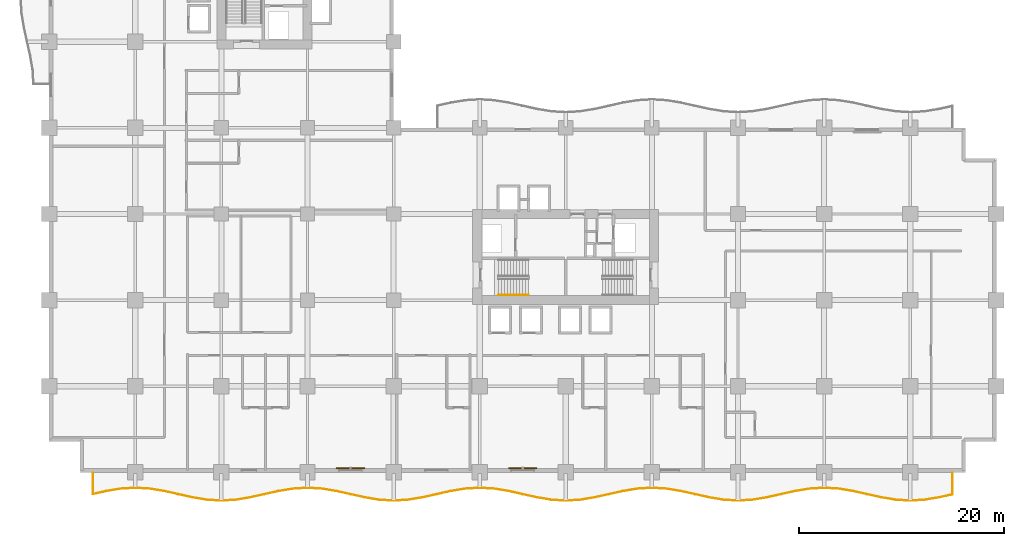
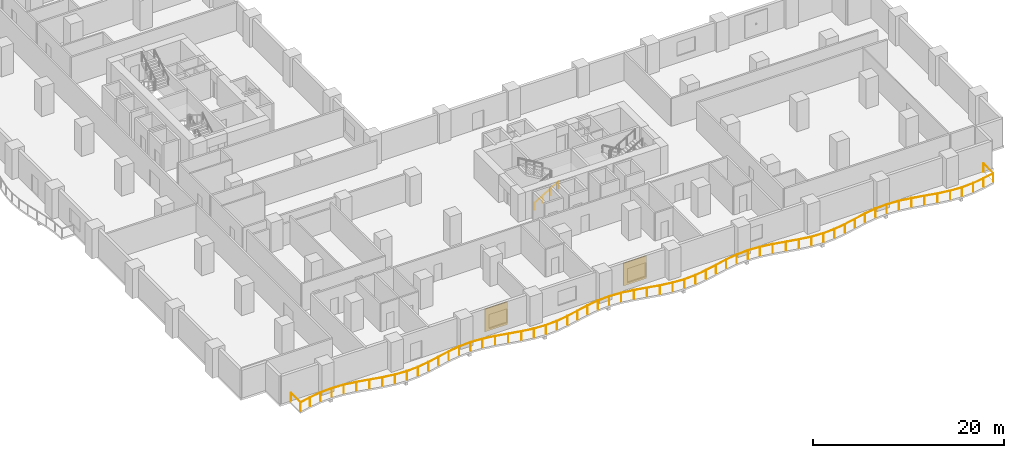
# One storey, part 19 of 22: 2 railings, 2 shading devices.
"""IFC4 building model written with IfcOpenShell, lengths in metres."""

from ifc_helpers import new_model, si_unit, direction, frame, origin, origin_2d, place, context, subcontext, project, spatial, rectangle, circle, extrude, material, layer, layer_set, type_object, element, save


model = new_model("IFC4")

# Units and contexts
model_context = context("Model", 3, precision=1e-05, world=origin(), true_north=direction((0.0, 1.0)))
body_context = subcontext(model_context, "Body", "Model", "MODEL_VIEW")
ifc_project = project(units=[si_unit("LENGTHUNIT", "METRE"), si_unit("AREAUNIT", "SQUARE_METRE"), si_unit("VOLUMEUNIT", "CUBIC_METRE"), si_unit("PLANEANGLEUNIT", "RADIAN"), si_unit("MASSUNIT", "GRAM", prefix="KILO")], contexts=[model_context])

# Site, building, storey
site_placement = place(None, origin())
site = spatial("IfcSite", under=ifc_project, at=site_placement, CompositionType="ELEMENT")
building_placement = place(site_placement, origin())
building = spatial("IfcBuilding", under=site, at=building_placement, Name="Koriwani Terraces Tower", CompositionType="ELEMENT")
storey_placement = place(building_placement, frame((0.0, 0.0, 62.39990234375)))
storey = spatial("IfcBuildingStorey", under=building, at=storey_placement, Name="L14", CompositionType="ELEMENT", Elevation=62.39990234375)

# Railings
ifc_material_1 = material(Name="Steel ASTM A572 Grade 50", Category="steel")
railing_type_1 = type_object("IfcRailingType", Name="GUARD_BALUSTRADE_1150", PredefinedType="BALUSTRADE", material=ifc_material_1)
railing_1_placement = place(storey_placement, frame((4.280029296875, -0.080078125, 0.0)))
element("IfcRailing", 1, at=railing_1_placement, inside=storey, type_object=railing_type_1, Name="L14 Balcony Perimeter Safety Balustrade (S)", PredefinedType="BALUSTRADE", context=body_context, shape_type="SweptSolid", body=[
    extrude(circle(Radius=0.02392578125, at=origin_2d()), frame((0.0, 0.0, 1.1259765625), z_axis=(0.0, -1.0, 0.0), x_axis=(1.0, 0.0, 0.0)), (0.0, 0.0, 1.0), 2.045166015625),
    extrude(circle(Radius=0.02392578125, at=origin_2d()), frame((0.0, -2.045166015625, 1.1259765625), z_axis=(0.975976038397, 0.21787788432, 0.0), x_axis=(-0.21787788432, 0.975976038397, 0.0)), (0.0, 0.0, 1.0), 1.3369140625),
    extrude(circle(Radius=0.02392578125, at=origin_2d()), frame((1.3046875, -1.75390625, 1.1259765625), z_axis=(0.986921202645, 0.161203411159, 0.0), x_axis=(-0.161203411159, 0.986921202645, 0.0)), (0.0, 0.0, 1.0), 1.425048828125),
    extrude(circle(Radius=0.02392578125, at=origin_2d()), frame((2.711181640625, -1.524169921875, 1.1259765625), z_axis=(0.998217235442, 0.059685432622, 0.0), x_axis=(-0.059685432622, 0.998217235442, 0.0)), (0.0, 0.0, 1.0), 1.4111328125),
    extrude(circle(Radius=0.02392578125, at=origin_2d()), frame((4.119873046875, -1.43994140625, 1.1259765625), z_axis=(0.998217851573, -0.059675127152, 0.0), x_axis=(0.059675127152, 0.998217851573, 0.0)), (0.0, 0.0, 1.0), 1.411376953125),
    extrude(circle(Radius=0.02392578125, at=origin_2d()), frame((5.52880859375, -1.524169921875, 1.1259765625), z_axis=(0.986916749742, -0.161230670401, 0.0), x_axis=(0.161230670401, 0.986916749742, 0.0)), (0.0, 0.0, 1.0), 1.4248046875),
    extrude(circle(Radius=0.02392578125, at=origin_2d()), frame((6.93505859375, -1.75390625, 1.1259765625), z_axis=(0.975982393728, -0.217849413893, 0.0), x_axis=(0.217849413893, 0.975982393728, 0.0)), (0.0, 0.0, 1.0), 2.868896484375),
    extrude(circle(Radius=0.02392578125, at=origin_2d()), frame((9.735107421875, -2.37890625, 1.1259765625), z_axis=(0.986907622111, -0.161286532042, 0.0), x_axis=(0.161286532042, 0.986907622111, 0.0)), (0.0, 0.0, 1.0), 1.412353515625),
    extrude(circle(Radius=0.02392578125, at=origin_2d()), frame((11.12890625, -2.606689453125, 1.1259765625), z_axis=(0.998214050326, -0.059738678687, 0.0), x_axis=(0.059738678687, 0.998214050326, 0.0)), (0.0, 0.0, 1.0), 1.3935546875),
    extrude(circle(Radius=0.02392578125, at=origin_2d()), frame((12.52001953125, -2.68994140625, 1.1259765625), z_axis=(0.998214050326, 0.059738678687, 0.0), x_axis=(-0.059738678687, 0.998214050326, 0.0)), (0.0, 0.0, 1.0), 1.3935546875),
    extrude(circle(Radius=0.02392578125, at=origin_2d()), frame((13.9111328125, -2.606689453125, 1.1259765625), z_axis=(0.986903124066, 0.16131405304, 0.0), x_axis=(-0.16131405304, 0.986903124066, 0.0)), (0.0, 0.0, 1.0), 1.412109375),
    extrude(circle(Radius=0.02392578125, at=origin_2d()), frame((15.3046875, -2.37890625, 1.1259765625), z_axis=(0.975982393728, 0.217849413893, 0.0), x_axis=(-0.217849413893, 0.975982393728, 0.0)), (0.0, 0.0, 1.0), 2.868896484375),
    extrude(circle(Radius=0.02392578125, at=origin_2d()), frame((18.104736328125, -1.75390625, 1.1259765625), z_axis=(0.986921202645, 0.161203411159, 0.0), x_axis=(-0.161203411159, 0.986921202645, 0.0)), (0.0, 0.0, 1.0), 1.425048828125),
    extrude(circle(Radius=0.02392578125, at=origin_2d()), frame((19.51123046875, -1.524169921875, 1.1259765625), z_axis=(0.998217235442, 0.059685432622, 0.0), x_axis=(-0.059685432622, 0.998217235442, 0.0)), (0.0, 0.0, 1.0), 1.4111328125),
    extrude(circle(Radius=0.02392578125, at=origin_2d()), frame((20.919921875, -1.43994140625, 1.1259765625), z_axis=(0.998217851573, -0.059675127152, 0.0), x_axis=(0.059675127152, 0.998217851573, 0.0)), (0.0, 0.0, 1.0), 1.411376953125),
    extrude(circle(Radius=0.02392578125, at=origin_2d()), frame((22.328857421875, -1.524169921875, 1.1259765625), z_axis=(0.986916749742, -0.161230670401, 0.0), x_axis=(0.161230670401, 0.986916749742, 0.0)), (0.0, 0.0, 1.0), 1.4248046875),
    extrude(circle(Radius=0.02392578125, at=origin_2d()), frame((23.735107421875, -1.75390625, 1.1259765625), z_axis=(0.975982393728, -0.217849413893, 0.0), x_axis=(0.217849413893, 0.975982393728, 0.0)), (0.0, 0.0, 1.0), 2.868896484375),
    extrude(circle(Radius=0.02392578125, at=origin_2d()), frame((26.53515625, -2.37890625, 1.1259765625), z_axis=(0.986907622111, -0.161286532042, 0.0), x_axis=(0.161286532042, 0.986907622111, 0.0)), (0.0, 0.0, 1.0), 1.412353515625),
    extrude(circle(Radius=0.02392578125, at=origin_2d()), frame((27.928955078125, -2.606689453125, 1.1259765625), z_axis=(0.998214050326, -0.059738678687, 0.0), x_axis=(0.059738678687, 0.998214050326, 0.0)), (0.0, 0.0, 1.0), 1.3935546875),
    extrude(circle(Radius=0.02392578125, at=origin_2d()), frame((29.320068359375, -2.68994140625, 1.1259765625), z_axis=(0.998214050326, 0.059738678687, 0.0), x_axis=(-0.059738678687, 0.998214050326, 0.0)), (0.0, 0.0, 1.0), 1.3935546875),
    extrude(circle(Radius=0.02392578125, at=origin_2d()), frame((30.711181640625, -2.606689453125, 1.1259765625), z_axis=(0.986903124066, 0.16131405304, 0.0), x_axis=(-0.16131405304, 0.986903124066, 0.0)), (0.0, 0.0, 1.0), 1.412109375),
    extrude(circle(Radius=0.02392578125, at=origin_2d()), frame((32.104736328125, -2.37890625, 1.1259765625), z_axis=(0.975982393728, 0.217849413893, 0.0), x_axis=(-0.217849413893, 0.975982393728, 0.0)), (0.0, 0.0, 1.0), 2.868896484375),
    extrude(circle(Radius=0.02392578125, at=origin_2d()), frame((34.90478515625, -1.75390625, 1.1259765625), z_axis=(0.986921202645, 0.161203411159, 0.0), x_axis=(-0.161203411159, 0.986921202645, 0.0)), (0.0, 0.0, 1.0), 1.425048828125),
    extrude(circle(Radius=0.02392578125, at=origin_2d()), frame((36.311279296875, -1.524169921875, 1.1259765625), z_axis=(0.998217235442, 0.059685432622, 0.0), x_axis=(-0.059685432622, 0.998217235442, 0.0)), (0.0, 0.0, 1.0), 1.4111328125),
    extrude(circle(Radius=0.02392578125, at=origin_2d()), frame((37.719970703125, -1.43994140625, 1.1259765625), z_axis=(0.998217235442, -0.059685432622, 0.0), x_axis=(0.059685432622, 0.998217235442, 0.0)), (0.0, 0.0, 1.0), 1.4111328125),
    extrude(circle(Radius=0.02392578125, at=origin_2d()), frame((39.128662109375, -1.524169921875, 1.1259765625), z_axis=(0.986921202645, -0.161203411159, 0.0), x_axis=(0.161203411159, 0.986921202645, 0.0)), (0.0, 0.0, 1.0), 1.425048828125),
    extrude(circle(Radius=0.02392578125, at=origin_2d()), frame((40.53515625, -1.75390625, 1.1259765625), z_axis=(0.975982393728, -0.217849413893, 0.0), x_axis=(0.217849413893, 0.975982393728, 0.0)), (0.0, 0.0, 1.0), 2.868896484375),
    extrude(circle(Radius=0.02392578125, at=origin_2d()), frame((43.335205078125, -2.37890625, 1.1259765625), z_axis=(0.986903124066, -0.16131405304, 0.0), x_axis=(0.16131405304, 0.986903124066, 0.0)), (0.0, 0.0, 1.0), 1.412109375),
    extrude(circle(Radius=0.02392578125, at=origin_2d()), frame((44.728759765625, -2.606689453125, 1.1259765625), z_axis=(0.998214050326, -0.059738678687, 0.0), x_axis=(0.059738678687, 0.998214050326, 0.0)), (0.0, 0.0, 1.0), 1.3935546875),
    extrude(circle(Radius=0.02392578125, at=origin_2d()), frame((46.119873046875, -2.68994140625, 1.1259765625), z_axis=(0.998214050326, 0.059738678687, 0.0), x_axis=(-0.059738678687, 0.998214050326, 0.0)), (0.0, 0.0, 1.0), 1.3935546875),
    extrude(circle(Radius=0.02392578125, at=origin_2d()), frame((47.510986328125, -2.606689453125, 1.1259765625), z_axis=(0.986907622111, 0.161286532042, 0.0), x_axis=(-0.161286532042, 0.986907622111, 0.0)), (0.0, 0.0, 1.0), 1.412353515625),
    extrude(circle(Radius=0.02392578125, at=origin_2d()), frame((48.90478515625, -2.37890625, 1.1259765625), z_axis=(0.975982393728, 0.217849413893, 0.0), x_axis=(-0.217849413893, 0.975982393728, 0.0)), (0.0, 0.0, 1.0), 2.868896484375),
    extrude(circle(Radius=0.02392578125, at=origin_2d()), frame((51.704833984375, -1.75390625, 1.1259765625), z_axis=(0.986916749742, 0.161230670401, 0.0), x_axis=(-0.161230670401, 0.986916749742, 0.0)), (0.0, 0.0, 1.0), 1.4248046875),
    extrude(circle(Radius=0.02392578125, at=origin_2d()), frame((53.111083984375, -1.524169921875, 1.1259765625), z_axis=(0.998217851573, 0.059675127152, 0.0), x_axis=(-0.059675127152, 0.998217851573, 0.0)), (0.0, 0.0, 1.0), 1.411376953125),
    extrude(circle(Radius=0.02392578125, at=origin_2d()), frame((54.52001953125, -1.43994140625, 1.1259765625), z_axis=(0.998217235442, -0.059685432622, 0.0), x_axis=(0.059685432622, 0.998217235442, 0.0)), (0.0, 0.0, 1.0), 1.4111328125),
    extrude(circle(Radius=0.02392578125, at=origin_2d()), frame((55.9287109375, -1.524169921875, 1.1259765625), z_axis=(0.986921202645, -0.161203411159, 0.0), x_axis=(0.161203411159, 0.986921202645, 0.0)), (0.0, 0.0, 1.0), 1.425048828125),
    extrude(circle(Radius=0.02392578125, at=origin_2d()), frame((57.335205078125, -1.75390625, 1.1259765625), z_axis=(0.975982393728, -0.217849413893, 0.0), x_axis=(0.217849413893, 0.975982393728, 0.0)), (0.0, 0.0, 1.0), 2.868896484375),
    extrude(circle(Radius=0.02392578125, at=origin_2d()), frame((60.13525390625, -2.37890625, 1.1259765625), z_axis=(0.986903124066, -0.16131405304, 0.0), x_axis=(0.16131405304, 0.986903124066, 0.0)), (0.0, 0.0, 1.0), 1.412109375),
    extrude(circle(Radius=0.02392578125, at=origin_2d()), frame((61.52880859375, -2.606689453125, 1.1259765625), z_axis=(0.998214050326, -0.059738678687, 0.0), x_axis=(0.059738678687, 0.998214050326, 0.0)), (0.0, 0.0, 1.0), 1.3935546875),
    extrude(circle(Radius=0.02392578125, at=origin_2d()), frame((62.919921875, -2.68994140625, 1.1259765625), z_axis=(0.998214050326, 0.059738678687, 0.0), x_axis=(-0.059738678687, 0.998214050326, 0.0)), (0.0, 0.0, 1.0), 1.3935546875),
    extrude(circle(Radius=0.02392578125, at=origin_2d()), frame((64.31103515625, -2.606689453125, 1.1259765625), z_axis=(0.986907622111, 0.161286532042, 0.0), x_axis=(-0.161286532042, 0.986907622111, 0.0)), (0.0, 0.0, 1.0), 1.412353515625),
    extrude(circle(Radius=0.02392578125, at=origin_2d()), frame((65.704833984375, -2.37890625, 1.1259765625), z_axis=(0.975982393728, 0.217849413893, 0.0), x_axis=(-0.217849413893, 0.975982393728, 0.0)), (0.0, 0.0, 1.0), 2.868896484375),
    extrude(circle(Radius=0.02392578125, at=origin_2d()), frame((68.5048828125, -1.75390625, 1.1259765625), z_axis=(0.986916749742, 0.161230670401, 0.0), x_axis=(-0.161230670401, 0.986916749742, 0.0)), (0.0, 0.0, 1.0), 1.4248046875),
    extrude(circle(Radius=0.02392578125, at=origin_2d()), frame((69.9111328125, -1.524169921875, 1.1259765625), z_axis=(0.998217851573, 0.059675127152, 0.0), x_axis=(-0.059675127152, 0.998217851573, 0.0)), (0.0, 0.0, 1.0), 1.411376953125),
    extrude(circle(Radius=0.02392578125, at=origin_2d()), frame((71.320068359375, -1.43994140625, 1.1259765625), z_axis=(0.998217235442, -0.059685432622, 0.0), x_axis=(0.059685432622, 0.998217235442, 0.0)), (0.0, 0.0, 1.0), 1.4111328125),
    extrude(circle(Radius=0.02392578125, at=origin_2d()), frame((72.728759765625, -1.524169921875, 1.1259765625), z_axis=(0.986921202645, -0.161203411159, 0.0), x_axis=(0.161203411159, 0.986921202645, 0.0)), (0.0, 0.0, 1.0), 1.425048828125),
    extrude(circle(Radius=0.02392578125, at=origin_2d()), frame((74.13525390625, -1.75390625, 1.1259765625), z_axis=(0.97597835464, -0.217867508535, 0.0), x_axis=(0.217867508535, 0.97597835464, 0.0)), (0.0, 0.0, 1.0), 2.86865234375),
    extrude(circle(Radius=0.02392578125, at=origin_2d()), frame((76.93505859375, -2.37890625, 1.1259765625), z_axis=(0.986907622111, -0.161286532042, 0.0), x_axis=(0.161286532042, 0.986907622111, 0.0)), (0.0, 0.0, 1.0), 1.412353515625),
    extrude(circle(Radius=0.02392578125, at=origin_2d()), frame((78.328857421875, -2.606689453125, 1.1259765625), z_axis=(0.998214050326, -0.059738678687, 0.0), x_axis=(0.059738678687, 0.998214050326, 0.0)), (0.0, 0.0, 1.0), 1.3935546875),
    extrude(circle(Radius=0.02392578125, at=origin_2d()), frame((79.719970703125, -2.68994140625, 1.1259765625), z_axis=(0.998214050326, 0.059738678687, 0.0), x_axis=(-0.059738678687, 0.998214050326, 0.0)), (0.0, 0.0, 1.0), 1.3935546875),
    extrude(circle(Radius=0.02392578125, at=origin_2d()), frame((81.111083984375, -2.606689453125, 1.1259765625), z_axis=(0.986907622111, 0.161286532042, 0.0), x_axis=(-0.161286532042, 0.986907622111, 0.0)), (0.0, 0.0, 1.0), 1.412353515625),
    extrude(circle(Radius=0.02392578125, at=origin_2d()), frame((82.5048828125, -2.37890625, 1.1259765625), z_axis=(0.97597243809, 0.217894011137, 0.0), x_axis=(-0.217894011137, 0.97597243809, 0.0)), (0.0, 0.0, 1.0), 1.3681640625),
    extrude(circle(Radius=0.02392578125, at=origin_2d()), frame((83.840087890625, -2.080810546875, 1.1259765625), z_axis=(0.0, 1.0, 0.0), x_axis=(-1.0, 0.0, 0.0)), (0.0, 0.0, 1.0), 2.080810546875),
    extrude(circle(Radius=0.02099609375, at=origin_2d()), origin(), (0.0, 0.0, 1.0), 1.101806640625),
    extrude(circle(Radius=0.02099609375, at=origin_2d()), frame((0.0, -2.045166015625, 0.0)), (0.0, 0.0, 1.0), 1.101806640625),
    extrude(circle(Radius=0.02099609375, at=origin_2d()), frame((1.3046875, -1.75390625, 0.0)), (0.0, 0.0, 1.0), 1.101806640625),
    extrude(circle(Radius=0.02099609375, at=origin_2d()), frame((2.711181640625, -1.524169921875, 0.0)), (0.0, 0.0, 1.0), 1.101806640625),
    extrude(circle(Radius=0.02099609375, at=origin_2d()), frame((4.119873046875, -1.43994140625, 0.0)), (0.0, 0.0, 1.0), 1.101806640625),
    extrude(circle(Radius=0.02099609375, at=origin_2d()), frame((5.52880859375, -1.524169921875, 0.0)), (0.0, 0.0, 1.0), 1.101806640625),
    extrude(circle(Radius=0.02099609375, at=origin_2d()), frame((6.93505859375, -1.75390625, 0.0)), (0.0, 0.0, 1.0), 1.101806640625),
    extrude(circle(Radius=0.02099609375, at=origin_2d()), frame((8.3349609375, -2.06640625, 0.0)), (0.0, 0.0, 1.0), 1.101806640625),
    extrude(circle(Radius=0.02099609375, at=origin_2d()), frame((9.735107421875, -2.37890625, 0.0)), (0.0, 0.0, 1.0), 1.101806640625),
    extrude(circle(Radius=0.02099609375, at=origin_2d()), frame((11.12890625, -2.606689453125, 0.0)), (0.0, 0.0, 1.0), 1.101806640625),
    extrude(circle(Radius=0.02099609375, at=origin_2d()), frame((12.52001953125, -2.68994140625, 0.0)), (0.0, 0.0, 1.0), 1.101806640625),
    extrude(circle(Radius=0.02099609375, at=origin_2d()), frame((13.9111328125, -2.606689453125, 0.0)), (0.0, 0.0, 1.0), 1.101806640625),
    extrude(circle(Radius=0.02099609375, at=origin_2d()), frame((15.3046875, -2.37890625, 0.0)), (0.0, 0.0, 1.0), 1.101806640625),
    extrude(circle(Radius=0.02099609375, at=origin_2d()), frame((16.70458984375, -2.06640625, 0.0)), (0.0, 0.0, 1.0), 1.101806640625),
    extrude(circle(Radius=0.02099609375, at=origin_2d()), frame((18.104736328125, -1.75390625, 0.0)), (0.0, 0.0, 1.0), 1.101806640625),
    extrude(circle(Radius=0.02099609375, at=origin_2d()), frame((19.51123046875, -1.524169921875, 0.0)), (0.0, 0.0, 1.0), 1.101806640625),
    extrude(circle(Radius=0.02099609375, at=origin_2d()), frame((20.919921875, -1.43994140625, 0.0)), (0.0, 0.0, 1.0), 1.101806640625),
    extrude(circle(Radius=0.02099609375, at=origin_2d()), frame((22.328857421875, -1.524169921875, 0.0)), (0.0, 0.0, 1.0), 1.101806640625),
    extrude(circle(Radius=0.02099609375, at=origin_2d()), frame((23.735107421875, -1.75390625, 0.0)), (0.0, 0.0, 1.0), 1.101806640625),
    extrude(circle(Radius=0.02099609375, at=origin_2d()), frame((25.13525390625, -2.06640625, 0.0)), (0.0, 0.0, 1.0), 1.101806640625),
    extrude(circle(Radius=0.02099609375, at=origin_2d()), frame((26.53515625, -2.37890625, 0.0)), (0.0, 0.0, 1.0), 1.101806640625),
    extrude(circle(Radius=0.02099609375, at=origin_2d()), frame((27.928955078125, -2.606689453125, 0.0)), (0.0, 0.0, 1.0), 1.101806640625),
    extrude(circle(Radius=0.02099609375, at=origin_2d()), frame((29.320068359375, -2.68994140625, 0.0)), (0.0, 0.0, 1.0), 1.101806640625),
    extrude(circle(Radius=0.02099609375, at=origin_2d()), frame((30.711181640625, -2.606689453125, 0.0)), (0.0, 0.0, 1.0), 1.101806640625),
    extrude(circle(Radius=0.02099609375, at=origin_2d()), frame((32.104736328125, -2.37890625, 0.0)), (0.0, 0.0, 1.0), 1.101806640625),
    extrude(circle(Radius=0.02099609375, at=origin_2d()), frame((33.5048828125, -2.06640625, 0.0)), (0.0, 0.0, 1.0), 1.101806640625),
    extrude(circle(Radius=0.02099609375, at=origin_2d()), frame((34.90478515625, -1.75390625, 0.0)), (0.0, 0.0, 1.0), 1.101806640625),
    extrude(circle(Radius=0.02099609375, at=origin_2d()), frame((36.311279296875, -1.524169921875, 0.0)), (0.0, 0.0, 1.0), 1.101806640625),
    extrude(circle(Radius=0.02099609375, at=origin_2d()), frame((37.719970703125, -1.43994140625, 0.0)), (0.0, 0.0, 1.0), 1.101806640625),
    extrude(circle(Radius=0.02099609375, at=origin_2d()), frame((39.128662109375, -1.524169921875, 0.0)), (0.0, 0.0, 1.0), 1.101806640625),
    extrude(circle(Radius=0.02099609375, at=origin_2d()), frame((40.53515625, -1.75390625, 0.0)), (0.0, 0.0, 1.0), 1.101806640625),
    extrude(circle(Radius=0.02099609375, at=origin_2d()), frame((41.93505859375, -2.06640625, 0.0)), (0.0, 0.0, 1.0), 1.101806640625),
    extrude(circle(Radius=0.02099609375, at=origin_2d()), frame((43.335205078125, -2.37890625, 0.0)), (0.0, 0.0, 1.0), 1.101806640625),
    extrude(circle(Radius=0.02099609375, at=origin_2d()), frame((44.728759765625, -2.606689453125, 0.0)), (0.0, 0.0, 1.0), 1.101806640625),
    extrude(circle(Radius=0.02099609375, at=origin_2d()), frame((46.119873046875, -2.68994140625, 0.0)), (0.0, 0.0, 1.0), 1.101806640625),
    extrude(circle(Radius=0.02099609375, at=origin_2d()), frame((47.510986328125, -2.606689453125, 0.0)), (0.0, 0.0, 1.0), 1.101806640625),
    extrude(circle(Radius=0.02099609375, at=origin_2d()), frame((48.90478515625, -2.37890625, 0.0)), (0.0, 0.0, 1.0), 1.101806640625),
    extrude(circle(Radius=0.02099609375, at=origin_2d()), frame((50.3046875, -2.06640625, 0.0)), (0.0, 0.0, 1.0), 1.101806640625),
    extrude(circle(Radius=0.02099609375, at=origin_2d()), frame((51.704833984375, -1.75390625, 0.0)), (0.0, 0.0, 1.0), 1.101806640625),
    extrude(circle(Radius=0.02099609375, at=origin_2d()), frame((53.111083984375, -1.524169921875, 0.0)), (0.0, 0.0, 1.0), 1.101806640625),
    extrude(circle(Radius=0.02099609375, at=origin_2d()), frame((54.52001953125, -1.43994140625, 0.0)), (0.0, 0.0, 1.0), 1.101806640625),
    extrude(circle(Radius=0.02099609375, at=origin_2d()), frame((55.9287109375, -1.524169921875, 0.0)), (0.0, 0.0, 1.0), 1.101806640625),
    extrude(circle(Radius=0.02099609375, at=origin_2d()), frame((57.335205078125, -1.75390625, 0.0)), (0.0, 0.0, 1.0), 1.101806640625),
    extrude(circle(Radius=0.02099609375, at=origin_2d()), frame((58.7353515625, -2.06640625, 0.0)), (0.0, 0.0, 1.0), 1.101806640625),
    extrude(circle(Radius=0.02099609375, at=origin_2d()), frame((60.13525390625, -2.37890625, 0.0)), (0.0, 0.0, 1.0), 1.101806640625),
    extrude(circle(Radius=0.02099609375, at=origin_2d()), frame((61.52880859375, -2.606689453125, 0.0)), (0.0, 0.0, 1.0), 1.101806640625),
    extrude(circle(Radius=0.02099609375, at=origin_2d()), frame((62.919921875, -2.68994140625, 0.0)), (0.0, 0.0, 1.0), 1.101806640625),
    extrude(circle(Radius=0.02099609375, at=origin_2d()), frame((64.31103515625, -2.606689453125, 0.0)), (0.0, 0.0, 1.0), 1.101806640625),
    extrude(circle(Radius=0.02099609375, at=origin_2d()), frame((65.704833984375, -2.37890625, 0.0)), (0.0, 0.0, 1.0), 1.101806640625),
    extrude(circle(Radius=0.02099609375, at=origin_2d()), frame((67.10498046875, -2.06640625, 0.0)), (0.0, 0.0, 1.0), 1.101806640625),
    extrude(circle(Radius=0.02099609375, at=origin_2d()), frame((68.5048828125, -1.75390625, 0.0)), (0.0, 0.0, 1.0), 1.101806640625),
    extrude(circle(Radius=0.02099609375, at=origin_2d()), frame((69.9111328125, -1.524169921875, 0.0)), (0.0, 0.0, 1.0), 1.101806640625),
    extrude(circle(Radius=0.02099609375, at=origin_2d()), frame((71.320068359375, -1.43994140625, 0.0)), (0.0, 0.0, 1.0), 1.101806640625),
    extrude(circle(Radius=0.02099609375, at=origin_2d()), frame((72.728759765625, -1.524169921875, 0.0)), (0.0, 0.0, 1.0), 1.101806640625),
    extrude(circle(Radius=0.02099609375, at=origin_2d()), frame((74.13525390625, -1.75390625, 0.0)), (0.0, 0.0, 1.0), 1.101806640625),
    extrude(circle(Radius=0.02099609375, at=origin_2d()), frame((75.53515625, -2.06640625, 0.0)), (0.0, 0.0, 1.0), 1.101806640625),
    extrude(circle(Radius=0.02099609375, at=origin_2d()), frame((76.93505859375, -2.37890625, 0.0)), (0.0, 0.0, 1.0), 1.101806640625),
    extrude(circle(Radius=0.02099609375, at=origin_2d()), frame((78.328857421875, -2.606689453125, 0.0)), (0.0, 0.0, 1.0), 1.101806640625),
    extrude(circle(Radius=0.02099609375, at=origin_2d()), frame((79.719970703125, -2.68994140625, 0.0)), (0.0, 0.0, 1.0), 1.101806640625),
    extrude(circle(Radius=0.02099609375, at=origin_2d()), frame((81.111083984375, -2.606689453125, 0.0)), (0.0, 0.0, 1.0), 1.101806640625),
    extrude(circle(Radius=0.02099609375, at=origin_2d()), frame((82.5048828125, -2.37890625, 0.0)), (0.0, 0.0, 1.0), 1.101806640625),
    extrude(circle(Radius=0.02099609375, at=origin_2d()), frame((83.840087890625, -2.080810546875, 0.0)), (0.0, 0.0, 1.0), 1.101806640625),
    extrude(circle(Radius=0.02099609375, at=origin_2d()), frame((83.840087890625, 0.0, 0.0)), (0.0, 0.0, 1.0), 1.101806640625),
])
railing_type_2 = type_object("IfcRailingType", Name="HANDRAIL_STAIR_920", PredefinedType="HANDRAIL", material=ifc_material_1)
railing_2_placement = place(storey_placement, frame((43.85009765625, 17.300048828125, 0.1728515625)))
element("IfcRailing", 2, at=railing_2_placement, inside=storey, type_object=railing_type_2, Name="L14 ST-E1 stair handrail 1", PredefinedType="HANDRAIL", context=body_context, shape_type="SweptSolid", body=[
    extrude(circle(Radius=0.02392578125, at=origin_2d()), frame((0.0, 0.0, 0.8759765625), z_axis=(0.859141464434, 0.0, 0.511738159696), x_axis=(0.0, 1.0, 0.0)), (0.0, 0.0, 1.0), 3.375244140625),
    extrude(circle(Radius=0.02099609375, at=origin_2d()), origin(), (0.0, 0.0, 1.0), 0.851806640625),
    extrude(circle(Radius=0.02099609375, at=origin_2d()), frame((0.966552734375, 0.0, 0.57568359375)), (0.0, 0.0, 1.0), 0.851806640625),
    extrude(circle(Radius=0.02099609375, at=origin_2d()), frame((1.933349609375, 0.0, 1.151611328125)), (0.0, 0.0, 1.0), 0.851806640625),
    extrude(circle(Radius=0.02099609375, at=origin_2d()), frame((2.89990234375, 0.0, 1.727294921875)), (0.0, 0.0, 1.0), 0.851806640625),
])

# Shading devices
ifc_material_2 = material(Name="Extruded Terracotta Clay", Category="masonry")
ifc_layer = layer(ifc_material_2, 0.1201171875, Name="Extruded Terracotta Clay")
ifc_layer_set = layer_set([ifc_layer], Name="Extruded Terracotta Clay")
shading_device_type = type_object("IfcShadingDeviceType", Name="TERRACOTTA_BAGUETTE_SCREEN_2800", PredefinedType="USERDEFINED", material=ifc_layer_set)
for number, where, z_axis, x_axis, name in (
    (3, (29.39990234375, 0.405029296875, 0.3251953125), (0.0, 0.0, 1.0), (-1.0, 0.0, 0.0), "L14 Extruded Terracotta Baguette Screen (S-9)"),
    (4, (46.199951171875, 0.405029296875, 0.3251953125), (0.0, 0.0, 1.0), (-1.0, 0.0, 0.0), "L14 Extruded Terracotta Baguette Screen (S-15)"),
):
    element("IfcShadingDevice", number, at=place(storey_placement, frame(where, z_axis=z_axis, x_axis=x_axis)), inside=storey, type_object=shading_device_type, Name=name, ObjectType="BAGUETTE", PredefinedType="USERDEFINED", context=body_context, shape_type="SweptSolid", body=[
        extrude(rectangle(XDim=2.760009765625, YDim=0.1201171875, at=origin_2d()), origin(), (0.0, 0.0, 1.0), 2.89990234375),
    ])

save(model, "model.ifc")
